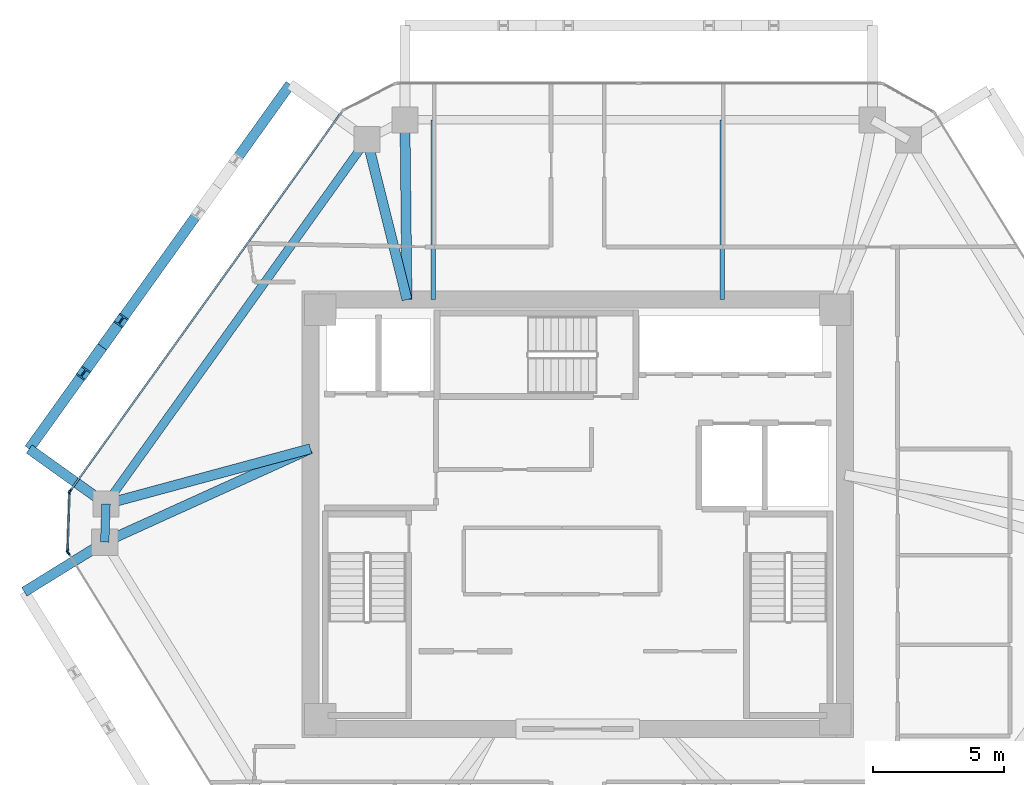
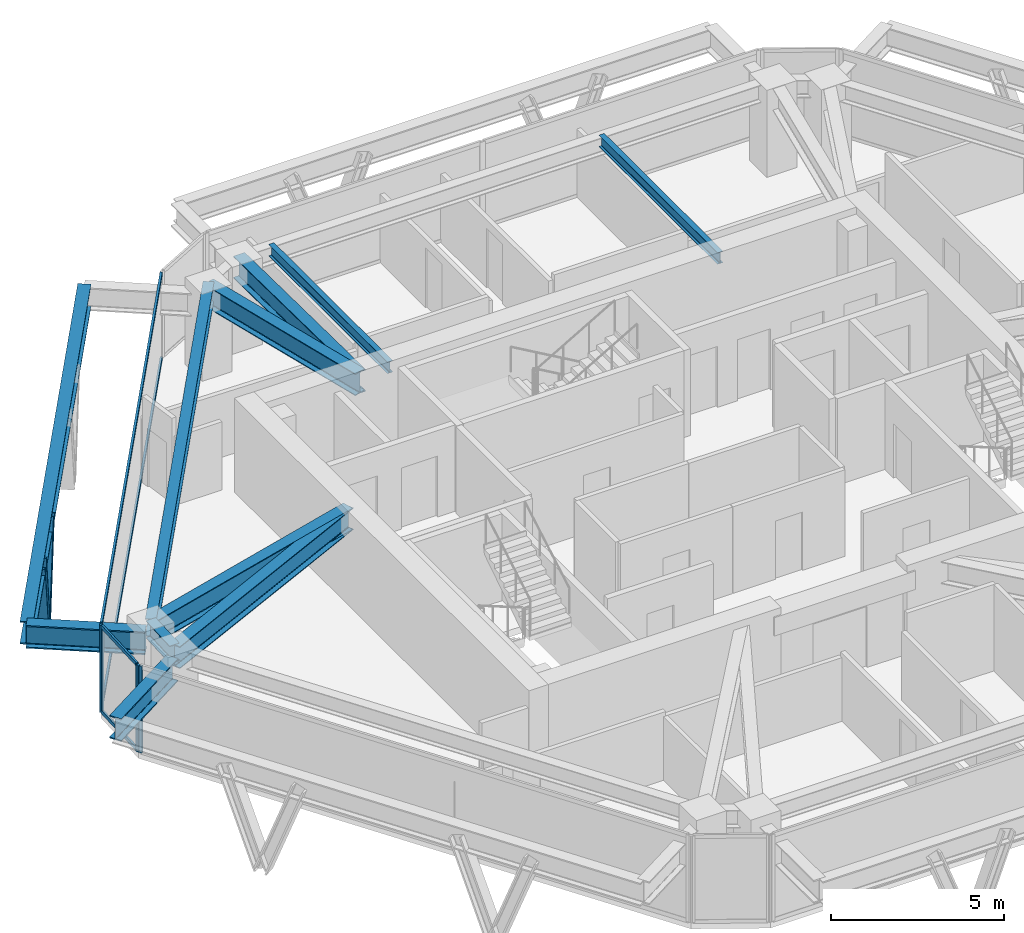
# One storey, part 4 of 11: 11 beams, 10 members, 3 elements without a shape of their own.
"""IFC4 building model written with IfcOpenShell, lengths in metres."""

from ifc_helpers import new_model, si_unit, direction, frame, origin, origin_2d, place, context, subcontext, project, spatial, rectangle, i_section, extrude, source, transform, mapped, material, layer, layer_set, material_profile, profile_set, type_object, type_shapes, element, aggregate, save


model = new_model("IFC4")

# Units and contexts
model_context = context("Model", 3, precision=1e-05, world=origin(), true_north=direction((0.0, 1.0)))
body_context = subcontext(model_context, "Body", "Model", "MODEL_VIEW")
ifc_project = project(units=[si_unit("LENGTHUNIT", "METRE"), si_unit("AREAUNIT", "SQUARE_METRE"), si_unit("VOLUMEUNIT", "CUBIC_METRE"), si_unit("PLANEANGLEUNIT", "RADIAN"), si_unit("MASSUNIT", "GRAM", prefix="KILO")], contexts=[model_context])

# Site, building, storey
site_placement = place(None, origin())
site = spatial("IfcSite", under=ifc_project, at=site_placement, CompositionType="ELEMENT")
building_placement = place(site_placement, origin())
building = spatial("IfcBuilding", under=site, at=building_placement, Name="Durnholm Broadcast Tower", CompositionType="ELEMENT")
storey_placement = place(building_placement, frame((0.0, 0.0, 183.699951171875)))
storey = spatial("IfcBuildingStorey", under=building, at=storey_placement, Name="L50", CompositionType="ELEMENT", Elevation=183.699951171875)

# Beams
ifc_material_1 = material(Name="Steel ASTM A992 Grade 50", Category="steel")
ifc_material_profile_1 = material_profile(ifc_material_1, i_section(OverallWidth=0.385009765625, OverallDepth=0.802978515625, WebThickness=0.023681640625, FlangeThickness=0.0419921875, FilletRadius=0.032958984375, at=origin_2d()), Name="W30X261")
ifc_profile_set_1 = profile_set([ifc_material_profile_1], Name="Steel ASTM A992 Grade 50")
beam_type_1 = type_object("IfcBeamType", Name="BM-EXO-TIE", PredefinedType="USERDEFINED", material=ifc_profile_set_1)
shared_shape_1 = source(origin(), body_context, "Body", "SweptSolid", [
    extrude(i_section(OverallWidth=0.385009765625, OverallDepth=0.802978515625, WebThickness=0.023681640625, FlangeThickness=0.0419921875, FilletRadius=0.032958984375, at=origin_2d()), origin(), (0.0, 0.0, 1.0), 3.4560546875),
])
beam_1_placement = place(storey_placement, frame((-18.131591796875, -1.13232421875, 2.30859375), z_axis=(-0.850662348375, -0.525712439512, 0.0), x_axis=(0.525712439512, -0.850662348375, 0.0)))
element("IfcBeam", 1, at=beam_1_placement, inside=storey, type_object=beam_type_1, Name="L50 exoskeleton stand-off tie bracket F6.1", ObjectType="GIRDER", PredefinedType="USERDEFINED", context=body_context, shape_type="MappedRepresentation", body=[
    mapped(shared_shape_1, transform((0.0, 0.0, 0.0), x_axis=(1.0, 0.0, 0.0), y_axis=(0.0, 1.0, 0.0), z_axis=(0.0, 0.0, 1.0), scale=1.0)),
])
shared_shape_2 = source(origin(), body_context, "Body", "SweptSolid", [
    extrude(i_section(OverallWidth=0.385009765625, OverallDepth=0.802978515625, WebThickness=0.023681640625, FlangeThickness=0.0419921875, FilletRadius=0.032958984375, at=origin_2d()), origin(), (0.0, 0.0, 1.0), 3.455810546875),
])
beam_2_placement = place(storey_placement, frame((-18.076904296875, 0.4794921875, 2.30859375), z_axis=(-0.813112485828, 0.582106592808, 0.0), x_axis=(-0.582106592808, -0.813112485828, 0.0)))
element("IfcBeam", 2, at=beam_2_placement, inside=storey, type_object=beam_type_1, Name="L50 exoskeleton stand-off tie bracket F5.2", ObjectType="GIRDER", PredefinedType="USERDEFINED", context=body_context, shape_type="MappedRepresentation", body=[
    mapped(shared_shape_2, transform((0.0, 0.0, 0.0), x_axis=(1.0, 0.0, 0.0), y_axis=(0.0, 1.0, 0.0), z_axis=(0.0, 0.0, 1.0), scale=1.0)),
])
ifc_material_profile_2 = material_profile(ifc_material_1, i_section(OverallWidth=0.3251953125, OverallDepth=0.6162109375, WebThickness=0.013916015625, FlangeThickness=0.021484375, FilletRadius=0.02783203125, at=origin_2d()), Name="W24X117")
ifc_profile_set_2 = profile_set([ifc_material_profile_2], Name="Steel ASTM A992 Grade 50")
beam_type_2 = type_object("IfcBeamType", Name="STL-SP-W24X117", PredefinedType="SPANDREL", material=ifc_profile_set_2)
shared_shape_3 = source(origin(), body_context, "Body", "SweptSolid", [
    extrude(i_section(OverallWidth=0.3251953125, OverallDepth=0.6162109375, WebThickness=0.013916015625, FlangeThickness=0.021484375, FilletRadius=0.02783203125, at=origin_2d()), origin(), (0.0, 0.0, 1.0), 1.452880859375),
])
beam_3_placement = place(storey_placement, frame((-18.009033203125, -1.056640625, 2.737060546875), z_axis=(0.03377359304, 0.999429509477, 0.0), x_axis=(-0.999429509477, 0.03377359304, 0.0)))
element("IfcBeam", 3, at=beam_3_placement, inside=storey, type_object=beam_type_2, Name="L50 perimeter spandrel girder 02", PredefinedType="SPANDREL", context=body_context, shape_type="MappedRepresentation", body=[
    mapped(shared_shape_3, transform((0.0, 0.0, 0.0), x_axis=(1.0, 0.0, 0.0), y_axis=(0.0, 1.0, 0.0), z_axis=(0.0, 0.0, 1.0), scale=1.0)),
])
shared_shape_4 = source(origin(), body_context, "Body", "SweptSolid", [
    extrude(i_section(OverallWidth=0.3251953125, OverallDepth=0.6162109375, WebThickness=0.013916015625, FlangeThickness=0.021484375, FilletRadius=0.02783203125, at=origin_2d()), origin(), (0.0, 0.0, 1.0), 17.07177734375),
])
type_shapes(beam_type_2, [shared_shape_3, shared_shape_4])
beam_4_placement = place(storey_placement, frame((-17.9599609375, 0.3955078125, 2.737060546875), z_axis=(0.582142843258, 0.813086532937, 0.0), x_axis=(-0.813086532937, 0.582142843258, 0.0)))
element("IfcBeam", 4, at=beam_4_placement, inside=storey, type_object=beam_type_2, Name="L50 perimeter spandrel girder 03", PredefinedType="SPANDREL", context=body_context, shape_type="MappedRepresentation", body=[
    mapped(shared_shape_4, transform((0.0, 0.0, 0.0), x_axis=(1.0, 0.0, 0.0), y_axis=(0.0, 1.0, 0.0), z_axis=(0.0, 0.0, 1.0), scale=1.0)),
])
shared_shape_5 = source(origin(), body_context, "Body", "SweptSolid", [
    extrude(i_section(OverallWidth=0.385009765625, OverallDepth=0.802978515625, WebThickness=0.023681640625, FlangeThickness=0.0419921875, FilletRadius=0.032958984375, at=origin_2d()), origin(), (0.0, 0.0, 1.0), 17.07177734375),
])
type_shapes(beam_type_1, [shared_shape_1, shared_shape_2, shared_shape_5])
beam_5_placement = place(storey_placement, frame((-10.948974609375, 16.3720703125, 2.30859375), z_axis=(-0.582133388739, -0.813093301974, 0.0), x_axis=(0.813093301974, -0.582133388739, 0.0)))
element("IfcBeam", 5, at=beam_5_placement, inside=storey, type_object=beam_type_1, Name="L50 exoskeleton collector spandrel F5", PredefinedType="SPANDREL", context=body_context, shape_type="MappedRepresentation", body=[
    mapped(shared_shape_5, transform((0.0, 0.0, 0.0), x_axis=(1.0, 0.0, 0.0), y_axis=(0.0, 1.0, 0.0), z_axis=(0.0, 0.0, 1.0), scale=1.0)),
])
ifc_material_profile_3 = material_profile(ifc_material_1, i_section(OverallWidth=0.380615234375, OverallDepth=0.773193359375, WebThickness=0.0166015625, FlangeThickness=0.027099609375, FilletRadius=0.032958984375, at=origin_2d()), Name="W30X173")
ifc_profile_set_3 = profile_set([ifc_material_profile_3], Name="Steel ASTM A992 Grade 50")
beam_type_3 = type_object("IfcBeamType", Name="STL-GR-W30X173", PredefinedType="USERDEFINED", material=ifc_profile_set_3)
shared_shape_6 = source(origin(), body_context, "Body", "SweptSolid", [
    extrude(i_section(OverallWidth=0.380615234375, OverallDepth=0.773193359375, WebThickness=0.0166015625, FlangeThickness=0.027099609375, FilletRadius=0.032958984375, at=origin_2d()), origin(), (0.0, 0.0, 1.0), 8.603515625),
])
beam_6_placement = place(storey_placement, frame((-10.175048828125, 2.5, 2.658447265625), z_axis=(-0.910552971728, -0.413392411248, 0.0), x_axis=(0.413392411248, -0.910552971728, 0.0)))
element("IfcBeam", 6, at=beam_6_placement, inside=storey, type_object=beam_type_3, Name="L50 radial primary floor girder 02", ObjectType="GIRDER", PredefinedType="USERDEFINED", context=body_context, shape_type="MappedRepresentation", body=[
    mapped(shared_shape_6, transform((0.0, 0.0, 0.0), x_axis=(1.0, 0.0, 0.0), y_axis=(0.0, 1.0, 0.0), z_axis=(0.0, 0.0, 1.0), scale=1.0)),
])
shared_shape_7 = source(origin(), body_context, "Body", "SweptSolid", [
    extrude(i_section(OverallWidth=0.380615234375, OverallDepth=0.773193359375, WebThickness=0.0166015625, FlangeThickness=0.027099609375, FilletRadius=0.032958984375, at=origin_2d()), origin(), (0.0, 0.0, 1.0), 8.064453125),
])
beam_7_placement = place(storey_placement, frame((-10.175048828125, 2.5, 2.658447265625), z_axis=(-0.96534896552, -0.260962401066, 0.0), x_axis=(0.260962401066, -0.96534896552, 0.0)))
element("IfcBeam", 7, at=beam_7_placement, inside=storey, type_object=beam_type_3, Name="L50 radial primary floor girder 03", ObjectType="GIRDER", PredefinedType="USERDEFINED", context=body_context, shape_type="MappedRepresentation", body=[
    mapped(shared_shape_7, transform((0.0, 0.0, 0.0), x_axis=(1.0, 0.0, 0.0), y_axis=(0.0, 1.0, 0.0), z_axis=(0.0, 0.0, 1.0), scale=1.0)),
])
shared_shape_8 = source(origin(), body_context, "Body", "SweptSolid", [
    extrude(i_section(OverallWidth=0.380615234375, OverallDepth=0.773193359375, WebThickness=0.0166015625, FlangeThickness=0.027099609375, FilletRadius=0.032958984375, at=origin_2d()), origin(), (0.0, 0.0, 1.0), 6.288330078125),
])
beam_8_placement = place(storey_placement, frame((-6.5, 8.175048828125, 2.658447265625), z_axis=(-0.241996604408, 0.970277096223, 0.0), x_axis=(-0.970277096223, -0.241996604408, 0.0)))
element("IfcBeam", 8, at=beam_8_placement, inside=storey, type_object=beam_type_3, Name="L50 radial primary floor girder 04", ObjectType="GIRDER", PredefinedType="USERDEFINED", context=body_context, shape_type="MappedRepresentation", body=[
    mapped(shared_shape_8, transform((0.0, 0.0, 0.0), x_axis=(1.0, 0.0, 0.0), y_axis=(0.0, 1.0, 0.0), z_axis=(0.0, 0.0, 1.0), scale=1.0)),
])
shared_shape_9 = source(origin(), body_context, "Body", "SweptSolid", [
    extrude(i_section(OverallWidth=0.380615234375, OverallDepth=0.773193359375, WebThickness=0.0166015625, FlangeThickness=0.027099609375, FilletRadius=0.032958984375, at=origin_2d()), origin(), (0.0, 0.0, 1.0), 6.843505859375),
])
type_shapes(beam_type_3, [shared_shape_6, shared_shape_7, shared_shape_8, shared_shape_9])
beam_9_placement = place(storey_placement, frame((-6.5, 8.175048828125, 2.658447265625), z_axis=(-0.011487343604, 0.999934018292, 0.0), x_axis=(-0.999934018292, -0.011487343604, 0.0)))
element("IfcBeam", 9, at=beam_9_placement, inside=storey, type_object=beam_type_3, Name="L50 radial primary floor girder 05", ObjectType="GIRDER", PredefinedType="USERDEFINED", context=body_context, shape_type="MappedRepresentation", body=[
    mapped(shared_shape_9, transform((0.0, 0.0, 0.0), x_axis=(1.0, 0.0, 0.0), y_axis=(0.0, 1.0, 0.0), z_axis=(0.0, 0.0, 1.0), scale=1.0)),
])
ifc_material_profile_4 = material_profile(ifc_material_1, i_section(OverallWidth=0.177734375, OverallDepth=0.40673828125, WebThickness=0.0078125, FlangeThickness=0.0126953125, FilletRadius=0.01904296875, at=origin_2d()), Name="W16X40")
ifc_profile_set_4 = profile_set([ifc_material_profile_4], Name="Steel ASTM A992 Grade 50")
beam_type_4 = type_object("IfcBeamType", Name="STL-BJ-W16X40", PredefinedType="JOIST", material=ifc_profile_set_4)
shared_shape_10 = source(origin(), body_context, "Body", "SweptSolid", [
    extrude(i_section(OverallWidth=0.177734375, OverallDepth=0.40673828125, WebThickness=0.0078125, FlangeThickness=0.0126953125, FilletRadius=0.01904296875, at=origin_2d()), origin(), (0.0, 0.0, 1.0), 6.843017578125),
])
type_shapes(beam_type_4, [shared_shape_10])
for number, where, z_axis, x_axis, name in (
    (10, (-5.5, 8.175048828125, 2.841796875), (0.0, 1.0, 0.0), (-1.0, 0.0, 0.0), "L50 secondary floor joist 3.2"),
    (11, (5.5, 8.175048828125, 2.841796875), (0.0, 1.0, 0.0), (-1.0, 0.0, 0.0), "L50 secondary floor joist 4.2"),
):
    element("IfcBeam", number, at=place(storey_placement, frame(where, z_axis=z_axis, x_axis=x_axis)), inside=storey, type_object=beam_type_4, Name=name, PredefinedType="JOIST", context=body_context, shape_type="MappedRepresentation", body=[
        mapped(shared_shape_10, transform((0.0, 0.0, 0.0), x_axis=(1.0, 0.0, 0.0), y_axis=(0.0, 1.0, 0.0), z_axis=(0.0, 0.0, 1.0), scale=1.0)),
    ])

# Members
ifc_material_2 = material(Name="Steel ASTM A913 Grade 65", Category="steel")
ifc_material_profile_5 = material_profile(ifc_material_2, i_section(OverallWidth=0.412109375, OverallDepth=0.434814453125, WebThickness=0.035888671875, FlangeThickness=0.057373046875, FilletRadius=0.030517578125, at=origin_2d()), Name="W14X311")
ifc_profile_set_5 = profile_set([ifc_material_profile_5], Name="Steel ASTM A913 Grade 65")
member_type_1 = type_object("IfcMemberType", Name="STL-DG-W14X311", PredefinedType="BRACE", material=ifc_profile_set_5)
shared_shape_11 = source(origin(), body_context, "Body", "SweptSolid", [
    extrude(i_section(OverallWidth=0.412109375, OverallDepth=0.434814453125, WebThickness=0.035888671875, FlangeThickness=0.057373046875, FilletRadius=0.030517578125, at=origin_2d()), origin(), (0.0, 0.0, 1.0), 3.523193359375),
])
type_shapes(member_type_1, [shared_shape_11])
for number, where, z_axis, x_axis, name in (
    (12, (-18.1044921875, 6.3779296875, -0.991455078125), (0.203869234398, 0.284737826017, 0.936675880815), (-0.813077820009, 0.582155012526, 0.0), "L50 stand-off diagrid brace F5.D2.1"),
    (13, (-18.1044921875, 6.3779296875, -0.991455078125), (-0.203802816986, -0.284741848009, 0.936689111595), (0.813171482985, -0.58202417412, 0.0), "L50 stand-off diagrid brace F5.D2.2"),
):
    element("IfcMember", number, at=place(storey_placement, frame(where, z_axis=z_axis, x_axis=x_axis)), inside=storey, type_object=member_type_1, Name=name, PredefinedType="BRACE", context=body_context, shape_type="MappedRepresentation", body=[
        mapped(shared_shape_11, transform((0.0, 0.0, 0.0), x_axis=(1.0, 0.0, 0.0), y_axis=(0.0, 1.0, 0.0), z_axis=(0.0, 0.0, 1.0), scale=1.0)),
    ])

# Curtain wall, members
ifc_material_3 = material(Name="Aluminium and Solar Control IGU", Category="aluminium")
ifc_layer_1 = layer(ifc_material_3, 0.1650390625)
ifc_layer_set_1 = layer_set([ifc_layer_1], Name="Aluminium and Solar Control IGU")
curtain_wall_type_1 = type_object("IfcCurtainWallType", Name="CW-SYS-5", PredefinedType="NOTDEFINED", material=ifc_layer_set_1)
curtain_wall_1_placement = place(storey_placement, origin())
curtain_wall_1 = element("IfcCurtainWall", 14, at=curtain_wall_1_placement, inside=storey, type_object=curtain_wall_type_1, Name="L50 curtain wall CW-CORNER CW-L50-CRN-01", PredefinedType="NOTDEFINED")
ifc_material_4 = material(Name="Aluminium 6063-T6", Category="aluminium")
ifc_material_profile_6 = material_profile(ifc_material_4, rectangle(XDim=0.06494140625, YDim=0.1650390625, at=origin_2d()), Name="CWM65X165")
ifc_profile_set_6 = profile_set([ifc_material_profile_6], Name="Aluminium 6063-T6")
member_type_2 = type_object("IfcMemberType", Name="CW-SYS-5-MUL", PredefinedType="MULLION", material=ifc_profile_set_6)
shared_shape_12 = source(origin(), body_context, "Body", "SweptSolid", [
    extrude(rectangle(XDim=0.06494140625, YDim=0.1650390625, at=origin_2d()), origin(), (0.0, 0.0, 1.0), 3.06005859375),
])
type_shapes(member_type_2, [shared_shape_12])
member_1_placement = place(storey_placement, frame((-19.421630859375, -1.39990234375, 0.0), z_axis=(0.0, 0.0, 1.0), x_axis=(-0.999424798802, 0.033912704699, 0.0)))
member_1 = element("IfcMember", 15, at=member_1_placement, type_object=member_type_2, Name="CW-CORNER mullion 1", PredefinedType="MULLION", context=body_context, shape_type="MappedRepresentation", body=[
    mapped(shared_shape_12, transform((0.0, 0.0, 0.0), x_axis=(1.0, 0.0, 0.0), y_axis=(0.0, 1.0, 0.0), z_axis=(0.0, 0.0, 1.0), scale=1.0)),
])
member_2_placement = place(storey_placement, frame((-19.345703125, 0.833740234375, 0.0), z_axis=(0.0, 0.0, 1.0), x_axis=(-0.999424798802, 0.033912704699, 0.0)))
member_2 = element("IfcMember", 16, at=member_2_placement, type_object=member_type_2, Name="CW-CORNER mullion 2", PredefinedType="MULLION", context=body_context, shape_type="MappedRepresentation", body=[
    mapped(shared_shape_12, transform((0.0, 0.0, 0.0), x_axis=(1.0, 0.0, 0.0), y_axis=(0.0, 1.0, 0.0), z_axis=(0.0, 0.0, 1.0), scale=1.0)),
])
ifc_material_profile_7 = material_profile(ifc_material_4, rectangle(XDim=0.06494140625, YDim=0.1298828125, at=origin_2d()), Name="CWT65X130")
ifc_profile_set_7 = profile_set([ifc_material_profile_7], Name="Aluminium 6063-T6")
member_type_3 = type_object("IfcMemberType", Name="CW-SYS-5-TRN", PredefinedType="USERDEFINED", material=ifc_profile_set_7)
shared_shape_13 = source(origin(), body_context, "Body", "SweptSolid", [
    extrude(rectangle(XDim=0.06494140625, YDim=0.1298828125, at=origin_2d()), origin(), (0.0, 0.0, 1.0), 2.169921875),
])
type_shapes(member_type_3, [shared_shape_13])
member_3_placement = place(storey_placement, frame((-19.42041015625, -1.367431640625, 0.032470703125), z_axis=(0.033865512339, 0.999426399028, 0.0), x_axis=(-0.999426399028, 0.033865512339, 0.0)))
member_3 = element("IfcMember", 17, at=member_3_placement, type_object=member_type_3, Name="CW-CORNER transom 1.1", ObjectType="TRANSOM", PredefinedType="USERDEFINED", context=body_context, shape_type="MappedRepresentation", body=[
    mapped(shared_shape_13, transform((0.0, 0.0, 0.0), x_axis=(1.0, 0.0, 0.0), y_axis=(0.0, 1.0, 0.0), z_axis=(0.0, 0.0, 1.0), scale=1.0)),
])
member_4_placement = place(storey_placement, frame((-19.42041015625, -1.367431640625, 3.027587890625), z_axis=(0.033865512339, 0.999426399028, 0.0), x_axis=(-0.999426399028, 0.033865512339, 0.0)))
member_4 = element("IfcMember", 18, at=member_4_placement, type_object=member_type_3, Name="CW-CORNER transom 1.2", ObjectType="TRANSOM", PredefinedType="USERDEFINED", context=body_context, shape_type="MappedRepresentation", body=[
    mapped(shared_shape_13, transform((0.0, 0.0, 0.0), x_axis=(1.0, 0.0, 0.0), y_axis=(0.0, 1.0, 0.0), z_axis=(0.0, 0.0, 1.0), scale=1.0)),
])
aggregate(curtain_wall_1, [member_1, member_2, member_3, member_4])

ifc_layer_2 = layer(ifc_material_3, 0.18994140625)
ifc_layer_set_2 = layer_set([ifc_layer_2], Name="Aluminium and Solar Control IGU")
curtain_wall_type_2 = type_object("IfcCurtainWallType", Name="CW-SYS-4", PredefinedType="NOTDEFINED", material=ifc_layer_set_2)
curtain_wall_2_placement = place(storey_placement, origin())
curtain_wall_2 = element("IfcCurtainWall", 19, at=curtain_wall_2_placement, inside=storey, type_object=curtain_wall_type_2, Name="L50 curtain wall CW-Z34-VIS CW-L50-F02", PredefinedType="NOTDEFINED")
ifc_material_profile_8 = material_profile(ifc_material_4, rectangle(XDim=0.070068359375, YDim=0.14990234375, at=origin_2d()), Name="CWT70X150")
ifc_profile_set_8 = profile_set([ifc_material_profile_8], Name="Aluminium 6063-T6")
member_type_4 = type_object("IfcMemberType", Name="CW-SYS-4-TRN", PredefinedType="USERDEFINED", material=ifc_profile_set_8)
shared_shape_14 = source(origin(), body_context, "Body", "SweptSolid", [
    extrude(rectangle(XDim=0.070068359375, YDim=0.14990234375, at=origin_2d()), origin(), (0.0, 0.0, 1.0), 17.69384765625),
])
type_shapes(member_type_4, [shared_shape_14])
member_5_placement = place(storey_placement, frame((-19.303955078125, 0.923095703125, 0.03515625), z_axis=(0.582138438195, 0.813089686797, 0.0), x_axis=(-0.813089686797, 0.582138438195, 0.0)))
member_5 = element("IfcMember", 20, at=member_5_placement, type_object=member_type_4, Name="CW-Z34-VIS transom 1.1", ObjectType="TRANSOM", PredefinedType="USERDEFINED", context=body_context, shape_type="MappedRepresentation", body=[
    mapped(shared_shape_14, transform((0.0, 0.0, 0.0), x_axis=(1.0, 0.0, 0.0), y_axis=(0.0, 1.0, 0.0), z_axis=(0.0, 0.0, 1.0), scale=1.0)),
])
member_6_placement = place(storey_placement, frame((-19.303955078125, 0.923095703125, 3.025146484375), z_axis=(0.582138438195, 0.813089686797, 0.0), x_axis=(-0.813089686797, 0.582138438195, 0.0)))
member_6 = element("IfcMember", 21, at=member_6_placement, type_object=member_type_4, Name="CW-Z34-VIS transom 1.2", ObjectType="TRANSOM", PredefinedType="USERDEFINED", context=body_context, shape_type="MappedRepresentation", body=[
    mapped(shared_shape_14, transform((0.0, 0.0, 0.0), x_axis=(1.0, 0.0, 0.0), y_axis=(0.0, 1.0, 0.0), z_axis=(0.0, 0.0, 1.0), scale=1.0)),
])
ifc_material_profile_9 = material_profile(ifc_material_4, rectangle(XDim=0.070068359375, YDim=0.18994140625, at=origin_2d()), Name="CWM70X190")
ifc_profile_set_9 = profile_set([ifc_material_profile_9], Name="Aluminium 6063-T6")
member_type_5 = type_object("IfcMemberType", Name="CW-SYS-4-MUL", PredefinedType="MULLION", material=ifc_profile_set_9)
shared_shape_15 = source(origin(), body_context, "Body", "SweptSolid", [
    extrude(rectangle(XDim=0.070068359375, YDim=0.18994140625, at=origin_2d()), origin(), (0.0, 0.0, 1.0), 3.06005859375),
])
type_shapes(member_type_5, [shared_shape_15])
member_7_placement = place(storey_placement, frame((-19.32421875, 0.894775390625, 0.0), z_axis=(0.0, 0.0, 1.0), x_axis=(-0.813089262696, 0.582139030549, 0.0)))
member_7 = element("IfcMember", 22, at=member_7_placement, type_object=member_type_5, Name="CW-Z34-VIS mullion 1", PredefinedType="MULLION", context=body_context, shape_type="MappedRepresentation", body=[
    mapped(shared_shape_15, transform((0.0, 0.0, 0.0), x_axis=(1.0, 0.0, 0.0), y_axis=(0.0, 1.0, 0.0), z_axis=(0.0, 0.0, 1.0), scale=1.0)),
])
aggregate(curtain_wall_2, [member_7, member_5, member_6])

# Curtain wall, member
curtain_wall_3_placement = place(storey_placement, origin())
curtain_wall_3 = element("IfcCurtainWall", 23, at=curtain_wall_3_placement, inside=storey, type_object=curtain_wall_type_2, Name="L50 curtain wall CW-Z34-VIS CW-L50-F12", PredefinedType="NOTDEFINED")
member_8_placement = place(storey_placement, frame((-19.404296875, -1.462158203125, 0.0), z_axis=(0.0, 0.0, 1.0), x_axis=(-0.850671426092, -0.525697750452, 0.0)))
member_8 = element("IfcMember", 24, at=member_8_placement, type_object=member_type_5, Name="CW-Z34-VIS mullion 2", PredefinedType="MULLION", context=body_context, shape_type="MappedRepresentation", body=[
    mapped(shared_shape_15, transform((0.0, 0.0, 0.0), x_axis=(1.0, 0.0, 0.0), y_axis=(0.0, 1.0, 0.0), z_axis=(0.0, 0.0, 1.0), scale=1.0)),
])
aggregate(curtain_wall_3, [member_8])

save(model, "model.ifc")
